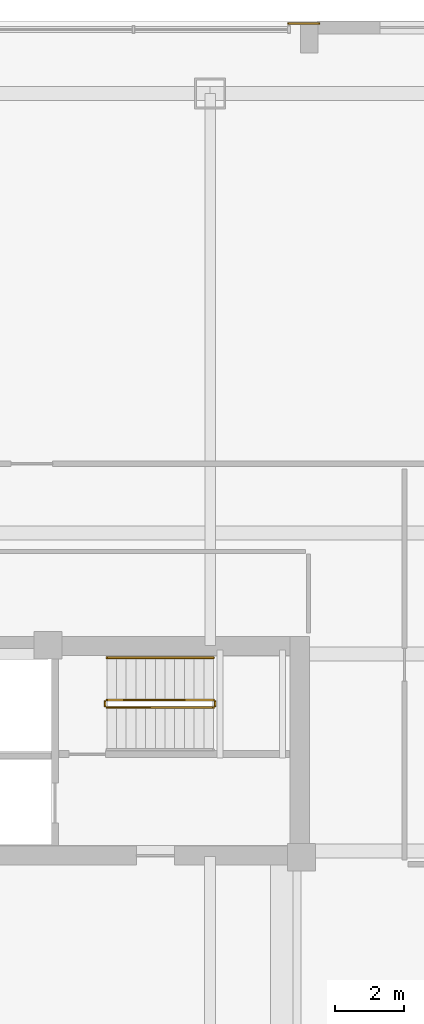
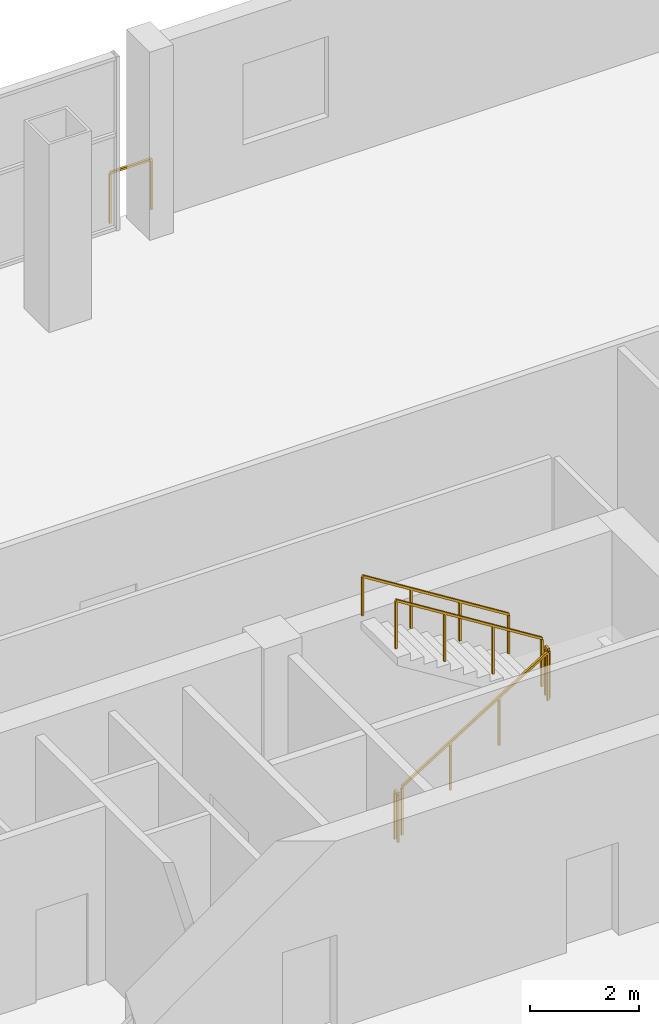
# One storey, part 20 of 21: 6 railings.
"""IFC4 building model written with IfcOpenShell, lengths in metres."""

from ifc_helpers import new_model, si_unit, direction, frame, origin, origin_2d, place, context, subcontext, project, spatial, rectangle, extrude, material, type_object, element, save


model = new_model("IFC4")

# Units and contexts
model_context = context("Model", 3, precision=1e-05, world=origin(), true_north=direction((0.0, 1.0)))
body_context = subcontext(model_context, "Body", "Model", "MODEL_VIEW")
ifc_project = project(units=[si_unit("LENGTHUNIT", "METRE"), si_unit("AREAUNIT", "SQUARE_METRE"), si_unit("VOLUMEUNIT", "CUBIC_METRE"), si_unit("PLANEANGLEUNIT", "RADIAN"), si_unit("MASSUNIT", "GRAM", prefix="KILO")], contexts=[model_context])

# Site, building, storey
site_placement = place(None, origin())
site = spatial("IfcSite", under=ifc_project, at=site_placement, CompositionType="ELEMENT")
building_placement = place(site_placement, origin())
building = spatial("IfcBuilding", under=site, at=building_placement, Name="Qhalaya Broadcast Tower", CompositionType="ELEMENT")
storey_placement = place(building_placement, frame((0.0, 0.0, 13.5)))
storey = spatial("IfcBuildingStorey", under=building, at=storey_placement, Name="L03", CompositionType="ELEMENT", Elevation=13.5)

# Railings
ifc_material = material(Name="Powder-Coated Galvanised Steel", Category="steel")
railing_type_1 = type_object("IfcRailingType", Name="Stair Wall Handrail 900", PredefinedType="HANDRAIL", material=ifc_material)
railing_1_placement = place(storey_placement, frame((6.830078125, 9.590087890625, 2.27490234375)))
element("IfcRailing", 1, at=railing_1_placement, inside=storey, type_object=railing_type_1, Name="L03 ST-1 Stair Handrail 2", PredefinedType="HANDRAIL", context=body_context, shape_type="SweptSolid", body=[
    extrude(rectangle(XDim=0.048095703125, YDim=0.048095703125, at=origin_2d()), frame((0.0, 0.0, 0.8759765625), z_axis=(-0.847998304005, 0.0, 0.529998940003), x_axis=(0.0, -1.0, 0.0)), (0.0, 0.0, 1.0), 3.632080078125),
    extrude(rectangle(XDim=0.0419921875, YDim=0.0419921875, at=origin_2d()), origin(), (0.0, 0.0, 1.0), 0.849853515625),
    extrude(rectangle(XDim=0.0419921875, YDim=0.0419921875, at=origin_2d()), frame((-1.026611328125, 0.0, 0.6416015625)), (0.0, 0.0, 1.0), 0.849853515625),
    extrude(rectangle(XDim=0.0419921875, YDim=0.0419921875, at=origin_2d()), frame((-2.053466796875, 0.0, 1.283447265625)), (0.0, 0.0, 1.0), 0.849853515625),
    extrude(rectangle(XDim=0.0419921875, YDim=0.0419921875, at=origin_2d()), frame((-3.080078125, 0.0, 1.925048828125)), (0.0, 0.0, 1.0), 0.849853515625),
])
railing_type_2 = type_object("IfcRailingType", Name="Stair Well & Landing Guardrail 1100", PredefinedType="GUARDRAIL", material=ifc_material)
railing_2_placement = place(storey_placement, frame((3.75, 8.14990234375, 0.175048828125)))
element("IfcRailing", 2, at=railing_2_placement, inside=storey, type_object=railing_type_2, Name="L03 ST-1 Stair Guard 1", PredefinedType="GUARDRAIL", context=body_context, shape_type="SweptSolid", body=[
    extrude(rectangle(XDim=0.048095703125, YDim=0.048095703125, at=origin_2d()), frame((0.0, 0.0, 1.076171875), z_axis=(0.847998304005, 0.0, 0.529998940003), x_axis=(0.0, 1.0, 0.0)), (0.0, 0.0, 1.0), 3.632080078125),
    extrude(rectangle(XDim=0.0419921875, YDim=0.0419921875, at=origin_2d()), origin(), (0.0, 0.0, 1.0), 1.050048828125),
    extrude(rectangle(XDim=0.0419921875, YDim=0.0419921875, at=origin_2d()), frame((1.026611328125, 0.0, 0.6416015625)), (0.0, 0.0, 1.0), 1.050048828125),
    extrude(rectangle(XDim=0.0419921875, YDim=0.0419921875, at=origin_2d()), frame((2.053466796875, 0.0, 1.283447265625)), (0.0, 0.0, 1.0), 1.050048828125),
    extrude(rectangle(XDim=0.0419921875, YDim=0.0419921875, at=origin_2d()), frame((3.080078125, 0.0, 1.925048828125)), (0.0, 0.0, 1.0), 1.050048828125),
])
railing_3_placement = place(storey_placement, frame((6.8798828125, 8.199951171875, 2.10009765625)))
element("IfcRailing", 3, at=railing_3_placement, inside=storey, type_object=railing_type_2, Name="L03 ST-1 Stair Guard 2", PredefinedType="GUARDRAIL", context=body_context, shape_type="SweptSolid", body=[
    extrude(rectangle(XDim=0.048095703125, YDim=0.048095703125, at=origin_2d()), frame((0.0, 0.0, 1.076171875), z_axis=(0.0, 1.0, 0.0), x_axis=(-1.0, 0.0, 0.0)), (0.0, 0.0, 1.0), 0.1201171875),
    extrude(rectangle(XDim=0.0419921875, YDim=0.0419921875, at=origin_2d()), origin(), (0.0, 0.0, 1.0), 1.050048828125),
    extrude(rectangle(XDim=0.0419921875, YDim=0.0419921875, at=origin_2d()), frame((0.0, 0.1201171875, 0.0)), (0.0, 0.0, 1.0), 1.050048828125),
])
railing_4_placement = place(storey_placement, frame((6.830078125, 8.3701171875, 2.27490234375)))
element("IfcRailing", 4, at=railing_4_placement, inside=storey, type_object=railing_type_2, Name="L03 ST-1 Stair Guard 3", PredefinedType="GUARDRAIL", context=body_context, shape_type="SweptSolid", body=[
    extrude(rectangle(XDim=0.048095703125, YDim=0.048095703125, at=origin_2d()), frame((0.0, 0.0, 1.076171875), z_axis=(-0.847998304005, 0.0, 0.529998940003), x_axis=(0.0, -1.0, 0.0)), (0.0, 0.0, 1.0), 3.632080078125),
    extrude(rectangle(XDim=0.0419921875, YDim=0.0419921875, at=origin_2d()), origin(), (0.0, 0.0, 1.0), 1.050048828125),
    extrude(rectangle(XDim=0.0419921875, YDim=0.0419921875, at=origin_2d()), frame((-1.026611328125, 0.0, 0.6416015625)), (0.0, 0.0, 1.0), 1.050048828125),
    extrude(rectangle(XDim=0.0419921875, YDim=0.0419921875, at=origin_2d()), frame((-2.053466796875, 0.0, 1.283447265625)), (0.0, 0.0, 1.0), 1.050048828125),
    extrude(rectangle(XDim=0.0419921875, YDim=0.0419921875, at=origin_2d()), frame((-3.080078125, 0.0, 1.925048828125)), (0.0, 0.0, 1.0), 1.050048828125),
])
railing_5_placement = place(storey_placement, frame((3.699951171875, 8.199951171875, 0.0)))
element("IfcRailing", 5, at=railing_5_placement, inside=storey, type_object=railing_type_2, Name="L03 ST-1 Stair Guard 4", PredefinedType="GUARDRAIL", context=body_context, shape_type="SweptSolid", body=[
    extrude(rectangle(XDim=0.048095703125, YDim=0.048095703125, at=origin_2d()), frame((0.0, 0.0, 1.076171875), z_axis=(0.0, 1.0, 0.0), x_axis=(-1.0, 0.0, 0.0)), (0.0, 0.0, 1.0), 0.1201171875),
    extrude(rectangle(XDim=0.0419921875, YDim=0.0419921875, at=origin_2d()), origin(), (0.0, 0.0, 1.0), 1.050048828125),
    extrude(rectangle(XDim=0.0419921875, YDim=0.0419921875, at=origin_2d()), frame((0.0, 0.1201171875, 0.0)), (0.0, 0.0, 1.0), 1.050048828125),
])
railing_type_3 = type_object("IfcRailingType", Name="Terrace, Sky-Pool & Lookout Glass Balustrade 1150", PredefinedType="BALUSTRADE", material=ifc_material)
railing_6_placement = place(storey_placement, frame((9.0, 27.919921875, 0.0)))
element("IfcRailing", 6, at=railing_6_placement, inside=storey, type_object=railing_type_3, Name="L03 Concourse Portal Shoulder Safety Balustrade PNE", PredefinedType="BALUSTRADE", context=body_context, shape_type="SweptSolid", body=[
    extrude(rectangle(XDim=0.048095703125, YDim=0.048095703125, at=origin_2d()), frame((0.0, 0.0, 1.1259765625), z_axis=(1.0, 0.0, 0.0), x_axis=(0.0, 1.0, 0.0)), (0.0, 0.0, 1.0), 0.8798828125),
    extrude(rectangle(XDim=0.0419921875, YDim=0.0419921875, at=origin_2d()), origin(), (0.0, 0.0, 1.0), 1.099853515625),
    extrude(rectangle(XDim=0.0419921875, YDim=0.0419921875, at=origin_2d()), frame((0.8798828125, 0.0, 0.0)), (0.0, 0.0, 1.0), 1.099853515625),
])

save(model, "model.ifc")
